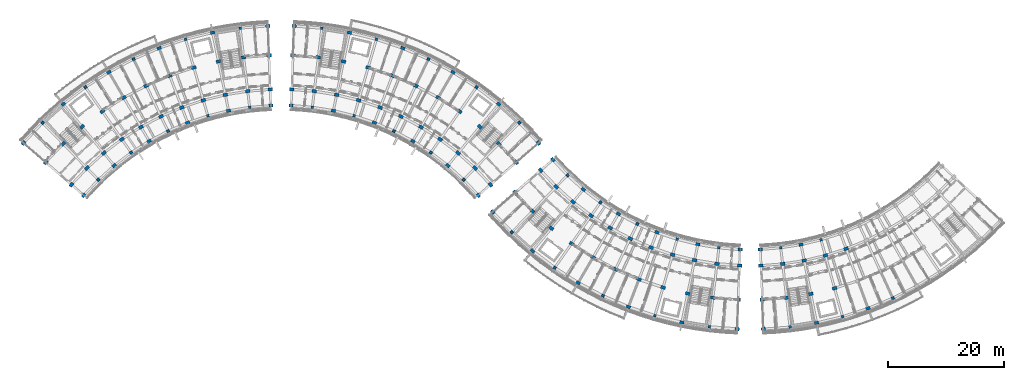
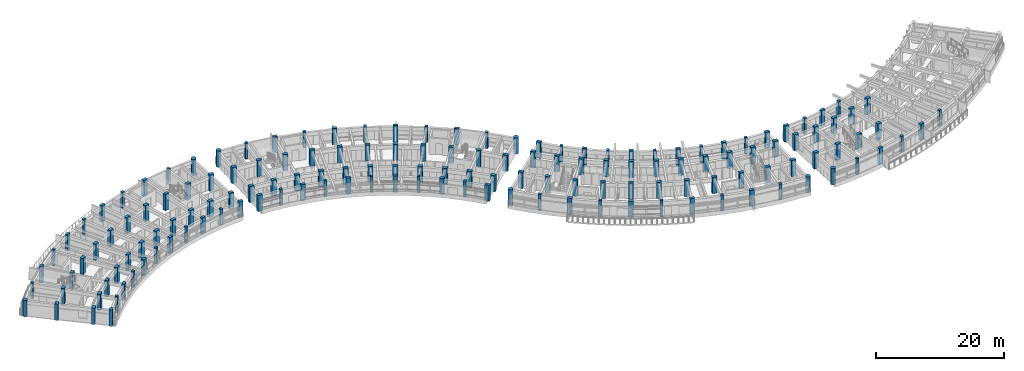
# One storey, part 1 of 55: 151 columns.
"""IFC4 building model written with IfcOpenShell, lengths in metres."""

from ifc_helpers import new_model, si_unit, direction, frame, origin, origin_2d, place, context, subcontext, project, spatial, rectangle, circle, extrude, material, material_profile, profile_set, type_object, element, save


model = new_model("IFC4")

# Units and contexts
model_context = context("Model", 3, precision=1e-05, world=origin(), true_north=direction((0.0, 1.0)))
body_context = subcontext(model_context, "Body", "Model", "MODEL_VIEW")
ifc_project = project(units=[si_unit("LENGTHUNIT", "METRE"), si_unit("AREAUNIT", "SQUARE_METRE"), si_unit("VOLUMEUNIT", "CUBIC_METRE"), si_unit("PLANEANGLEUNIT", "RADIAN"), si_unit("MASSUNIT", "GRAM", prefix="KILO")], contexts=[model_context])

# Site, building, storey
site_placement = place(None, origin())
site = spatial("IfcSite", under=ifc_project, at=site_placement, CompositionType="ELEMENT")
building_placement = place(site_placement, origin())
building = spatial("IfcBuilding", under=site, at=building_placement, Name="Zimvara Arc Housing Community", CompositionType="ELEMENT")
storey_placement = place(building_placement, frame((0.0, 0.0, 14.300048828125)))
storey = spatial("IfcBuildingStorey", under=building, at=storey_placement, Name="L04", CompositionType="ELEMENT", Elevation=14.300048828125)

# Columns
ifc_material_1 = material(Name="Concrete C40/50", Category="concrete")
ifc_material_profile_1 = material_profile(ifc_material_1, rectangle(XDim=0.449951171875, YDim=0.449951171875, at=origin_2d()), Name="RC 450x450")
ifc_profile_set_1 = profile_set([ifc_material_profile_1], Name="Concrete C40/50")
column_type_1 = type_object("IfcColumnType", Name="COL-RC-450x450", PredefinedType="COLUMN", material=ifc_profile_set_1)
for number, where, z_axis, x_axis, name in (
    (1, (13.476318359375, 76.781005859375, 0.0), (0.0, 0.0, 1.0), (-0.698665066769, 0.715448897181, 0.0), "col:blkA:L04:b1:r0"),
    (2, (3.862548828125, 86.625732421875, 0.0), (0.0, 0.0, 1.0), (-0.698665066769, 0.715448897181, 0.0), "col:blkA:L04:b1:r3"),
    (3, (19.14599609375, 81.478271484375, 0.0), (0.0, 0.0, 1.0), (-0.573004420611, 0.819552276527, 0.0), "col:blkA:L04:b3:r0"),
    (4, (11.261474609375, 92.755126953125, 0.0), (0.0, 0.0, 1.0), (-0.573004420611, 0.819552276527, 0.0), "col:blkA:L04:b3:r3"),
    (5, (25.50439453125, 85.190673828125, 0.0), (0.0, 0.0, 1.0), (-0.432085748802, 0.901832526405, 0.0), "col:blkA:L04:b5:r0"),
    (6, (19.558837890625, 97.599853515625, 0.0), (0.0, 0.0, 1.0), (-0.432085748802, 0.901832526405, 0.0), "col:blkA:L04:b5:r3"),
    (7, (32.381591796875, 87.819580078125, 0.0), (0.0, 0.0, 1.0), (-0.27966144946, 0.96009867914, 0.0), "col:blkA:L04:b7:r0"),
    (8, (28.533447265625, 101.030517578125, 0.0), (0.0, 0.0, 1.0), (-0.27966144946, 0.96009867914, 0.0), "col:blkA:L04:b7:r3"),
    (9, (39.594970703125, 89.295166015625, 0.0), (0.0, 0.0, 1.0), (-0.119790293837, 0.992799217114, 0.0), "col:blkA:L04:b9:r0"),
    (10, (37.94677734375, 102.9560546875, 0.0), (0.0, 0.0, 1.0), (-0.119790293837, 0.992799217114, 0.0), "col:blkA:L04:b9:r3"),
    (11, (50.405029296875, 89.295166015625, 0.0), (0.0, 0.0, 1.0), (0.119790293837, 0.992799217114, 0.0), "col:blkB:L04:b1:r0"),
    (12, (52.05322265625, 102.9560546875, 0.0), (0.0, 0.0, 1.0), (0.119790293837, 0.992799217114, 0.0), "col:blkB:L04:b1:r3"),
    (13, (57.618408203125, 87.819580078125, 0.0), (0.0, 0.0, 1.0), (0.27966144946, 0.96009867914, 0.0), "col:blkB:L04:b3:r0"),
    (14, (61.466552734375, 101.030517578125, 0.0), (0.0, 0.0, 1.0), (0.27966144946, 0.96009867914, 0.0), "col:blkB:L04:b3:r3"),
    (15, (64.49560546875, 85.190673828125, 0.0), (0.0, 0.0, 1.0), (0.432085748802, 0.901832526405, 0.0), "col:blkB:L04:b5:r0"),
    (16, (70.441162109375, 97.599853515625, 0.0), (0.0, 0.0, 1.0), (0.432085748802, 0.901832526405, 0.0), "col:blkB:L04:b5:r3"),
    (17, (70.85400390625, 81.478271484375, 0.0), (0.0, 0.0, 1.0), (0.573004420611, 0.819552276527, 0.0), "col:blkB:L04:b7:r0"),
    (18, (78.738525390625, 92.755126953125, 0.0), (0.0, 0.0, 1.0), (0.573004420611, 0.819552276527, 0.0), "col:blkB:L04:b7:r3"),
    (19, (76.523681640625, 76.781005859375, 0.0), (0.0, 0.0, 1.0), (0.698665066769, 0.715448897181, 0.0), "col:blkB:L04:b9:r0"),
    (20, (86.137451171875, 86.625732421875, 0.0), (0.0, 0.0, 1.0), (0.698665066769, 0.715448897181, 0.0), "col:blkB:L04:b9:r3"),
    (21, (94.456298828125, 77.578857421875, 0.0), (0.0, 0.0, 1.0), (-0.698665066769, -0.715448897181, 0.0), "col:blkC:L04:b1:r0"),
    (22, (84.842529296875, 67.734375, 0.0), (0.0, 0.0, 1.0), (-0.698665066769, -0.715448897181, 0.0), "col:blkC:L04:b1:r3"),
    (23, (100.1259765625, 72.8818359375, 0.0), (0.0, 0.0, 1.0), (-0.573004420611, -0.819552276527, 0.0), "col:blkC:L04:b3:r0"),
    (24, (92.241455078125, 61.604736328125, 0.0), (0.0, 0.0, 1.0), (-0.573004420611, -0.819552276527, 0.0), "col:blkC:L04:b3:r3"),
    (25, (106.484375, 69.16943359375, 0.0), (0.0, 0.0, 1.0), (-0.432085748802, -0.901832526405, 0.0), "col:blkC:L04:b5:r0"),
    (26, (100.538818359375, 56.760009765625, 0.0), (0.0, 0.0, 1.0), (-0.432085748802, -0.901832526405, 0.0), "col:blkC:L04:b5:r3"),
    (27, (113.361572265625, 66.540283203125, 0.0), (0.0, 0.0, 1.0), (-0.27966144946, -0.96009867914, 0.0), "col:blkC:L04:b7:r0"),
    (28, (109.513427734375, 53.329345703125, 0.0), (0.0, 0.0, 1.0), (-0.27966144946, -0.96009867914, 0.0), "col:blkC:L04:b7:r3"),
    (29, (120.574951171875, 65.06494140625, 0.0), (0.0, 0.0, 1.0), (-0.119790293837, -0.992799217114, 0.0), "col:blkC:L04:b9:r0"),
    (30, (118.9267578125, 51.404052734375, 0.0), (0.0, 0.0, 1.0), (-0.119790293837, -0.992799217114, 0.0), "col:blkC:L04:b9:r3"),
    (31, (131.244140625, 65.048095703125, 0.0), (0.0, 0.0, 1.0), (0.116670737099, -0.993170649538, 0.0), "col:blkD:L04:b1:r0"),
    (32, (132.849609375, 51.382080078125, 0.0), (0.0, 0.0, 1.0), (0.116670737099, -0.993170649538, 0.0), "col:blkD:L04:b1:r3"),
    (33, (138.189453125, 66.42333984375, 0.0), (0.0, 0.0, 1.0), (0.270600445976, -0.962691746426, 0.0), "col:blkD:L04:b3:r0"),
    (34, (141.912841796875, 53.1767578125, 0.0), (0.0, 0.0, 1.0), (0.270600445976, -0.962691746426, 0.0), "col:blkD:L04:b3:r3"),
    (35, (150.583984375, 56.366943359375, 0.0), (0.0, 0.0, 1.0), (0.417867073801, -0.908508177527, 0.0), "col:blkD:L04:b5:r3"),
):
    element("IfcColumn", number, at=place(storey_placement, frame(where, z_axis=z_axis, x_axis=x_axis)), inside=storey, type_object=column_type_1, Name=name, PredefinedType="COLUMN", context=body_context, shape_type="SweptSolid", body=[
        extrude(rectangle(XDim=0.449951171875, YDim=0.449951171875, at=origin_2d()), origin(), (0.0, 0.0, 1.0), 3.099853515625),
    ])
ifc_material_2 = material(Name="Concrete C40/50", Category="concrete")
ifc_material_profile_2 = material_profile(ifc_material_2, rectangle(XDim=0.5, YDim=0.75, at=origin_2d()), Name="RC 500x750")
ifc_profile_set_2 = profile_set([ifc_material_profile_2], Name="Concrete C40/50")
column_type_2 = type_object("IfcColumnType", Name="COL-RC-500x750", PredefinedType="COLUMN", material=ifc_profile_set_2)
for number, where, z_axis, x_axis, name in (
    (36, (10.947509765625, 74.101318359375, 0.0), (0.0, 0.0, 1.0), (-0.754709580223, 0.656059028991, 0.0), "col:blkA:L04:b0:r0"),
    (37, (16.215087890625, 79.245361328125, 0.0), (0.0, 0.0, 1.0), (-0.637961754089, 0.770068049148, 0.0), "col:blkA:L04:b2:r0"),
    (38, (7.436767578125, 89.841552734375, 0.0), (0.0, 0.0, 1.0), (-0.637961754089, 0.770068049148, 0.0), "col:blkA:L04:b2:r3"),
    (39, (22.249267578125, 83.46435546875, 0.0), (0.0, 0.0, 1.0), (-0.504226211181, 0.863571611366, 0.0), "col:blkA:L04:b4:r0"),
    (40, (15.311279296875, 95.34716796875, 0.0), (0.0, 0.0, 1.0), (-0.504226211181, 0.863571611366, 0.0), "col:blkA:L04:b4:r3"),
    (41, (28.88916015625, 86.645751953125, 0.0), (0.0, 0.0, 1.0), (-0.357064076459, 0.934079892355, 0.0), "col:blkA:L04:b6:r0"),
    (42, (23.97607421875, 99.49853515625, 0.0), (0.0, 0.0, 1.0), (-0.357064076459, 0.934079892355, 0.0), "col:blkA:L04:b6:r3"),
    (43, (35.958251953125, 88.704833984375, 0.0), (0.0, 0.0, 1.0), (-0.200393999665, 0.979715389742, 0.0), "col:blkA:L04:b8:r0"),
    (44, (33.20068359375, 102.185546875, 0.0), (0.0, 0.0, 1.0), (-0.200393999665, 0.979715389742, 0.0), "col:blkA:L04:b8:r3"),
    (45, (43.267822265625, 89.586669921875, 0.0), (0.0, 0.0, 1.0), (-0.038387809088, 0.999262916411, 0.0), "col:blkA:L04:b10:r0"),
    (46, (46.732177734375, 89.586669921875, 0.0), (0.0, 0.0, 1.0), (0.038387809088, 0.999262916411, 0.0), "col:blkB:L04:b0:r0"),
    (47, (54.041748046875, 88.704833984375, 0.0), (0.0, 0.0, 1.0), (0.200393999665, 0.979715389742, 0.0), "col:blkB:L04:b2:r0"),
    (48, (56.79931640625, 102.185546875, 0.0), (0.0, 0.0, 1.0), (0.200393999665, 0.979715389742, 0.0), "col:blkB:L04:b2:r3"),
    (49, (61.11083984375, 86.645751953125, 0.0), (0.0, 0.0, 1.0), (0.357064076459, 0.934079892355, 0.0), "col:blkB:L04:b4:r0"),
    (50, (66.02392578125, 99.49853515625, 0.0), (0.0, 0.0, 1.0), (0.357064076459, 0.934079892355, 0.0), "col:blkB:L04:b4:r3"),
    (51, (67.750732421875, 83.46435546875, 0.0), (0.0, 0.0, 1.0), (0.504226211181, 0.863571611366, 0.0), "col:blkB:L04:b6:r0"),
    (52, (74.688720703125, 95.34716796875, 0.0), (0.0, 0.0, 1.0), (0.504226211181, 0.863571611366, 0.0), "col:blkB:L04:b6:r3"),
    (53, (73.784912109375, 79.245361328125, 0.0), (0.0, 0.0, 1.0), (0.637961754089, 0.770068049148, 0.0), "col:blkB:L04:b8:r0"),
    (54, (82.563232421875, 89.841552734375, 0.0), (0.0, 0.0, 1.0), (0.637961754089, 0.770068049148, 0.0), "col:blkB:L04:b8:r3"),
    (55, (79.052490234375, 74.101318359375, 0.0), (0.0, 0.0, 1.0), (0.754709580223, 0.656059028991, 0.0), "col:blkB:L04:b10:r0"),
    (56, (91.927490234375, 80.258544921875, 0.0), (0.0, 0.0, 1.0), (-0.754709580223, -0.656059028991, 0.0), "col:blkC:L04:b0:r0"),
    (57, (97.195068359375, 75.114501953125, 0.0), (0.0, 0.0, 1.0), (-0.637961754089, -0.770068049148, 0.0), "col:blkC:L04:b2:r0"),
    (58, (88.416748046875, 64.518310546875, 0.0), (0.0, 0.0, 1.0), (-0.637961754089, -0.770068049148, 0.0), "col:blkC:L04:b2:r3"),
    (59, (103.229248046875, 70.895751953125, 0.0), (0.0, 0.0, 1.0), (-0.504226211181, -0.863571611366, 0.0), "col:blkC:L04:b4:r0"),
    (60, (96.291259765625, 59.012939453125, 0.0), (0.0, 0.0, 1.0), (-0.504226211181, -0.863571611366, 0.0), "col:blkC:L04:b4:r3"),
    (61, (109.869384765625, 67.71435546875, 0.0), (0.0, 0.0, 1.0), (-0.357064076459, -0.934079892355, 0.0), "col:blkC:L04:b6:r0"),
    (62, (104.9560546875, 54.861328125, 0.0), (0.0, 0.0, 1.0), (-0.357064076459, -0.934079892355, 0.0), "col:blkC:L04:b6:r3"),
    (63, (116.938232421875, 65.6552734375, 0.0), (0.0, 0.0, 1.0), (-0.200393999665, -0.979715389742, 0.0), "col:blkC:L04:b8:r0"),
    (64, (114.180908203125, 52.17431640625, 0.0), (0.0, 0.0, 1.0), (-0.200393999665, -0.979715389742, 0.0), "col:blkC:L04:b8:r3"),
    (65, (124.248046875, 64.773193359375, 0.0), (0.0, 0.0, 1.0), (-0.038387809088, -0.999262916411, 0.0), "col:blkC:L04:b10:r0"),
    (66, (127.712158203125, 64.773193359375, 0.0), (0.0, 0.0, 1.0), (0.038387809088, -0.999262916411, 0.0), "col:blkD:L04:b0:r0"),
    (67, (134.743896484375, 65.599365234375, 0.0), (0.0, 0.0, 1.0), (0.19423435122, -0.980955155349, 0.0), "col:blkD:L04:b2:r0"),
    (68, (137.41650390625, 52.101318359375, 0.0), (0.0, 0.0, 1.0), (0.19423435122, -0.980955155349, 0.0), "col:blkD:L04:b2:r3"),
    (69, (146.311279296875, 54.6015625, 0.0), (0.0, 0.0, 1.0), (0.345298198999, -0.93849302276, 0.0), "col:blkD:L04:b4:r3"),
):
    element("IfcColumn", number, at=place(storey_placement, frame(where, z_axis=z_axis, x_axis=x_axis)), inside=storey, type_object=column_type_2, Name=name, PredefinedType="COLUMN", context=body_context, shape_type="SweptSolid", body=[
        extrude(rectangle(XDim=0.5, YDim=0.75, at=origin_2d()), origin(), (0.0, 0.0, 1.0), 3.099853515625),
    ])
ifc_material_3 = material(Name="Concrete C40/50", Category="concrete")
ifc_material_profile_3 = material_profile(ifc_material_3, rectangle(XDim=0.550048828125, YDim=0.800048828125, at=origin_2d()), Name="RC 550x800")
ifc_profile_set_3 = profile_set([ifc_material_profile_3], Name="Concrete C40/50")
column_type_3 = type_object("IfcColumnType", Name="COL-RC-550x800", PredefinedType="COLUMN", material=ifc_profile_set_3)
for number, where, z_axis, x_axis, name in (
    (70, (8.834228515625, 75.938232421875, 0.0), (0.0, 0.0, 1.0), (-0.754709580223, 0.656059028991, 0.0), "col:blkA:L04:b0:r1"),
    (71, (4.396728515625, 79.7958984375, 0.0), (0.0, 0.0, 1.0), (-0.754709580223, 0.656059028991, 0.0), "col:blkA:L04:b0:r2"),
    (72, (11.52001953125, 78.784423828125, 0.0), (0.0, 0.0, 1.0), (-0.698665066769, 0.715448897181, 0.0), "col:blkA:L04:b1:r1"),
    (73, (7.411865234375, 82.9912109375, 0.0), (0.0, 0.0, 1.0), (-0.698665066769, 0.715448897181, 0.0), "col:blkA:L04:b1:r2"),
    (74, (14.428955078125, 81.401611328125, 0.0), (0.0, 0.0, 1.0), (-0.637961754089, 0.770068049148, 0.0), "col:blkA:L04:b2:r1"),
    (75, (10.677734375, 85.9296875, 0.0), (0.0, 0.0, 1.0), (-0.637961754089, 0.770068049148, 0.0), "col:blkA:L04:b2:r2"),
    (76, (17.541748046875, 83.77294921875, 0.0), (0.0, 0.0, 1.0), (-0.573004420611, 0.819552276527, 0.0), "col:blkA:L04:b3:r1"),
    (77, (14.17236328125, 88.591796875, 0.0), (0.0, 0.0, 1.0), (-0.573004420611, 0.819552276527, 0.0), "col:blkA:L04:b3:r2"),
    (78, (20.83740234375, 85.88232421875, 0.0), (0.0, 0.0, 1.0), (-0.504226211181, 0.863571611366, 0.0), "col:blkA:L04:b4:r1"),
    (79, (17.87255859375, 90.960205078125, 0.0), (0.0, 0.0, 1.0), (-0.504226211181, 0.863571611366, 0.0), "col:blkA:L04:b4:r2"),
    (80, (24.29443359375, 87.7158203125, 0.0), (0.0, 0.0, 1.0), (-0.432085748802, 0.901832526405, 0.0), "col:blkA:L04:b5:r1"),
    (81, (21.75390625, 93.0185546875, 0.0), (0.0, 0.0, 1.0), (-0.432085748802, 0.901832526405, 0.0), "col:blkA:L04:b5:r2"),
    (82, (27.889404296875, 89.260986328125, 0.0), (0.0, 0.0, 1.0), (-0.357064076459, 0.934079892355, 0.0), "col:blkA:L04:b6:r1"),
    (83, (25.7900390625, 94.75341796875, 0.0), (0.0, 0.0, 1.0), (-0.357064076459, 0.934079892355, 0.0), "col:blkA:L04:b6:r2"),
    (84, (31.5986328125, 90.5078125, 0.0), (0.0, 0.0, 1.0), (-0.27966144946, 0.96009867914, 0.0), "col:blkA:L04:b7:r1"),
    (85, (29.9541015625, 96.1533203125, 0.0), (0.0, 0.0, 1.0), (-0.27966144946, 0.96009867914, 0.0), "col:blkA:L04:b7:r2"),
    (86, (35.397216796875, 91.447998046875, 0.0), (0.0, 0.0, 1.0), (-0.200393999665, 0.979715389742, 0.0), "col:blkA:L04:b8:r1"),
    (87, (34.21875, 97.208740234375, 0.0), (0.0, 0.0, 1.0), (-0.200393999665, 0.979715389742, 0.0), "col:blkA:L04:b8:r2"),
    (88, (39.259765625, 92.074951171875, 0.0), (0.0, 0.0, 1.0), (-0.119790293837, 0.992799217114, 0.0), "col:blkA:L04:b9:r1"),
    (89, (38.55517578125, 97.91259765625, 0.0), (0.0, 0.0, 1.0), (-0.119790293837, 0.992799217114, 0.0), "col:blkA:L04:b9:r2"),
    (90, (43.160400390625, 92.384765625, 0.0), (0.0, 0.0, 1.0), (-0.038387809088, 0.999262916411, 0.0), "col:blkA:L04:b10:r1"),
    (91, (42.934814453125, 98.26025390625, 0.0), (0.0, 0.0, 1.0), (-0.038387809088, 0.999262916411, 0.0), "col:blkA:L04:b10:r2"),
    (92, (46.839599609375, 92.384765625, 0.0), (0.0, 0.0, 1.0), (0.038387809088, 0.999262916411, 0.0), "col:blkB:L04:b0:r1"),
    (93, (47.065185546875, 98.26025390625, 0.0), (0.0, 0.0, 1.0), (0.038387809088, 0.999262916411, 0.0), "col:blkB:L04:b0:r2"),
    (94, (50.740234375, 92.074951171875, 0.0), (0.0, 0.0, 1.0), (0.119790293837, 0.992799217114, 0.0), "col:blkB:L04:b1:r1"),
    (95, (51.44482421875, 97.91259765625, 0.0), (0.0, 0.0, 1.0), (0.119790293837, 0.992799217114, 0.0), "col:blkB:L04:b1:r2"),
    (96, (54.602783203125, 91.447998046875, 0.0), (0.0, 0.0, 1.0), (0.200393999665, 0.979715389742, 0.0), "col:blkB:L04:b2:r1"),
    (97, (55.78125, 97.208740234375, 0.0), (0.0, 0.0, 1.0), (0.200393999665, 0.979715389742, 0.0), "col:blkB:L04:b2:r2"),
    (98, (58.4013671875, 90.5078125, 0.0), (0.0, 0.0, 1.0), (0.27966144946, 0.96009867914, 0.0), "col:blkB:L04:b3:r1"),
    (99, (60.0458984375, 96.1533203125, 0.0), (0.0, 0.0, 1.0), (0.27966144946, 0.96009867914, 0.0), "col:blkB:L04:b3:r2"),
    (100, (62.110595703125, 89.260986328125, 0.0), (0.0, 0.0, 1.0), (0.357064076459, 0.934079892355, 0.0), "col:blkB:L04:b4:r1"),
    (101, (64.2099609375, 94.75341796875, 0.0), (0.0, 0.0, 1.0), (0.357064076459, 0.934079892355, 0.0), "col:blkB:L04:b4:r2"),
    (102, (65.70556640625, 87.7158203125, 0.0), (0.0, 0.0, 1.0), (0.432085748802, 0.901832526405, 0.0), "col:blkB:L04:b5:r1"),
    (103, (68.24609375, 93.0185546875, 0.0), (0.0, 0.0, 1.0), (0.432085748802, 0.901832526405, 0.0), "col:blkB:L04:b5:r2"),
    (104, (69.16259765625, 85.88232421875, 0.0), (0.0, 0.0, 1.0), (0.504226211181, 0.863571611366, 0.0), "col:blkB:L04:b6:r1"),
    (105, (72.12744140625, 90.960205078125, 0.0), (0.0, 0.0, 1.0), (0.504226211181, 0.863571611366, 0.0), "col:blkB:L04:b6:r2"),
    (106, (72.458251953125, 83.77294921875, 0.0), (0.0, 0.0, 1.0), (0.573004420611, 0.819552276527, 0.0), "col:blkB:L04:b7:r1"),
    (107, (75.82763671875, 88.591796875, 0.0), (0.0, 0.0, 1.0), (0.573004420611, 0.819552276527, 0.0), "col:blkB:L04:b7:r2"),
    (108, (75.571044921875, 81.401611328125, 0.0), (0.0, 0.0, 1.0), (0.637961754089, 0.770068049148, 0.0), "col:blkB:L04:b8:r1"),
    (109, (79.322265625, 85.9296875, 0.0), (0.0, 0.0, 1.0), (0.637961754089, 0.770068049148, 0.0), "col:blkB:L04:b8:r2"),
    (110, (78.47998046875, 78.784423828125, 0.0), (0.0, 0.0, 1.0), (0.698665066769, 0.715448897181, 0.0), "col:blkB:L04:b9:r1"),
    (111, (82.588134765625, 82.9912109375, 0.0), (0.0, 0.0, 1.0), (0.698665066769, 0.715448897181, 0.0), "col:blkB:L04:b9:r2"),
    (112, (81.165771484375, 75.938232421875, 0.0), (0.0, 0.0, 1.0), (0.754709580223, 0.656059028991, 0.0), "col:blkB:L04:b10:r1"),
    (113, (85.603271484375, 79.7958984375, 0.0), (0.0, 0.0, 1.0), (0.754709580223, 0.656059028991, 0.0), "col:blkB:L04:b10:r2"),
    (114, (89.814208984375, 78.421630859375, 0.0), (0.0, 0.0, 1.0), (-0.754709580223, -0.656059028991, 0.0), "col:blkC:L04:b0:r1"),
    (115, (85.376708984375, 74.56396484375, 0.0), (0.0, 0.0, 1.0), (-0.754709580223, -0.656059028991, 0.0), "col:blkC:L04:b0:r2"),
    (116, (92.5, 75.57568359375, 0.0), (0.0, 0.0, 1.0), (-0.698665066769, -0.715448897181, 0.0), "col:blkC:L04:b1:r1"),
    (117, (88.391845703125, 71.368896484375, 0.0), (0.0, 0.0, 1.0), (-0.698665066769, -0.715448897181, 0.0), "col:blkC:L04:b1:r2"),
    (118, (95.408935546875, 72.958251953125, 0.0), (0.0, 0.0, 1.0), (-0.637961754089, -0.770068049148, 0.0), "col:blkC:L04:b2:r1"),
    (119, (91.65771484375, 68.430419921875, 0.0), (0.0, 0.0, 1.0), (-0.637961754089, -0.770068049148, 0.0), "col:blkC:L04:b2:r2"),
    (120, (98.521728515625, 70.587158203125, 0.0), (0.0, 0.0, 1.0), (-0.573004420611, -0.819552276527, 0.0), "col:blkC:L04:b3:r1"),
    (121, (95.15234375, 65.76806640625, 0.0), (0.0, 0.0, 1.0), (-0.573004420611, -0.819552276527, 0.0), "col:blkC:L04:b3:r2"),
    (122, (101.8173828125, 68.4775390625, 0.0), (0.0, 0.0, 1.0), (-0.504226211181, -0.863571611366, 0.0), "col:blkC:L04:b4:r1"),
    (123, (98.8525390625, 63.39990234375, 0.0), (0.0, 0.0, 1.0), (-0.504226211181, -0.863571611366, 0.0), "col:blkC:L04:b4:r2"),
    (124, (105.2744140625, 66.644287109375, 0.0), (0.0, 0.0, 1.0), (-0.432085748802, -0.901832526405, 0.0), "col:blkC:L04:b5:r1"),
    (125, (102.73388671875, 61.34130859375, 0.0), (0.0, 0.0, 1.0), (-0.432085748802, -0.901832526405, 0.0), "col:blkC:L04:b5:r2"),
    (126, (108.869384765625, 65.098876953125, 0.0), (0.0, 0.0, 1.0), (-0.357064076459, -0.934079892355, 0.0), "col:blkC:L04:b6:r1"),
    (127, (106.77001953125, 59.6064453125, 0.0), (0.0, 0.0, 1.0), (-0.357064076459, -0.934079892355, 0.0), "col:blkC:L04:b6:r2"),
    (128, (112.57861328125, 63.85205078125, 0.0), (0.0, 0.0, 1.0), (-0.27966144946, -0.96009867914, 0.0), "col:blkC:L04:b7:r1"),
    (129, (110.934326171875, 58.206787109375, 0.0), (0.0, 0.0, 1.0), (-0.27966144946, -0.96009867914, 0.0), "col:blkC:L04:b7:r2"),
    (130, (116.377197265625, 62.912109375, 0.0), (0.0, 0.0, 1.0), (-0.200393999665, -0.979715389742, 0.0), "col:blkC:L04:b8:r1"),
    (131, (115.19873046875, 57.1513671875, 0.0), (0.0, 0.0, 1.0), (-0.200393999665, -0.979715389742, 0.0), "col:blkC:L04:b8:r2"),
    (132, (120.23974609375, 62.28515625, 0.0), (0.0, 0.0, 1.0), (-0.119790293837, -0.992799217114, 0.0), "col:blkC:L04:b9:r1"),
    (133, (119.535400390625, 56.447509765625, 0.0), (0.0, 0.0, 1.0), (-0.119790293837, -0.992799217114, 0.0), "col:blkC:L04:b9:r2"),
    (134, (124.140380859375, 61.975341796875, 0.0), (0.0, 0.0, 1.0), (-0.038387809088, -0.999262916411, 0.0), "col:blkC:L04:b10:r1"),
    (135, (123.914794921875, 56.099609375, 0.0), (0.0, 0.0, 1.0), (-0.038387809088, -0.999262916411, 0.0), "col:blkC:L04:b10:r2"),
    (136, (127.819580078125, 61.975341796875, 0.0), (0.0, 0.0, 1.0), (0.038387809088, -0.999262916411, 0.0), "col:blkD:L04:b0:r1"),
    (137, (128.045166015625, 56.099609375, 0.0), (0.0, 0.0, 1.0), (0.038387809088, -0.999262916411, 0.0), "col:blkD:L04:b0:r2"),
    (138, (131.57080078125, 62.267333984375, 0.0), (0.0, 0.0, 1.0), (0.116670737099, -0.993170649538, 0.0), "col:blkD:L04:b1:r1"),
    (139, (132.2568359375, 56.427490234375, 0.0), (0.0, 0.0, 1.0), (0.116670737099, -0.993170649538, 0.0), "col:blkD:L04:b1:r2"),
    (140, (135.28759765625, 62.8525390625, 0.0), (0.0, 0.0, 1.0), (0.19423435122, -0.980955155349, 0.0), "col:blkD:L04:b2:r1"),
    (141, (136.4296875, 57.084716796875, 0.0), (0.0, 0.0, 1.0), (0.19423435122, -0.980955155349, 0.0), "col:blkD:L04:b2:r2"),
    (142, (138.947265625, 63.727783203125, 0.0), (0.0, 0.0, 1.0), (0.270600445976, -0.962691746426, 0.0), "col:blkD:L04:b3:r1"),
    (143, (140.538330078125, 58.067138671875, 0.0), (0.0, 0.0, 1.0), (0.270600445976, -0.962691746426, 0.0), "col:blkD:L04:b3:r2"),
    (144, (142.526611328125, 64.887451171875, 0.0), (0.0, 0.0, 1.0), (0.345298198999, -0.93849302276, 0.0), "col:blkD:L04:b4:r1"),
):
    element("IfcColumn", number, at=place(storey_placement, frame(where, z_axis=z_axis, x_axis=x_axis)), inside=storey, type_object=column_type_3, Name=name, PredefinedType="COLUMN", context=body_context, shape_type="SweptSolid", body=[
        extrude(rectangle(XDim=0.550048828125, YDim=0.800048828125, at=origin_2d()), origin(), (0.0, 0.0, 1.0), 3.099853515625),
    ])
ifc_material_4 = material(Name="Concrete C40/50", Category="concrete")
ifc_material_profile_4 = material_profile(ifc_material_4, circle(Radius=0.39990234375, at=origin_2d()), Name="RC D800")
ifc_profile_set_4 = profile_set([ifc_material_profile_4], Name="Concrete C40/50")
column_type_4 = type_object("IfcColumnType", Name="COL-RC-D700", PredefinedType="COLUMN", material=ifc_profile_set_4)
for number, where, z_axis, x_axis, name in (
    (145, (0.562744140625, 83.128662109375, 0.0), (0.0, 0.0, 1.0), (-0.754709580223, 0.656059028991, 0.0), "col:blkA:L04:b0:r3"),
    (146, (42.73974609375, 103.336669921875, 0.0), (0.0, 0.0, 1.0), (-0.038387809088, 0.999262916411, 0.0), "col:blkA:L04:b10:r3"),
    (147, (47.26025390625, 103.336669921875, 0.0), (0.0, 0.0, 1.0), (0.038387809088, 0.999262916411, 0.0), "col:blkB:L04:b0:r3"),
    (148, (89.437255859375, 83.128662109375, 0.0), (0.0, 0.0, 1.0), (0.754709580223, 0.656059028991, 0.0), "col:blkB:L04:b10:r3"),
    (149, (81.542724609375, 71.231201171875, 0.0), (0.0, 0.0, 1.0), (-0.754709580223, -0.656059028991, 0.0), "col:blkC:L04:b0:r3"),
    (150, (123.7197265625, 51.0234375, 0.0), (0.0, 0.0, 1.0), (-0.038387809088, -0.999262916411, 0.0), "col:blkC:L04:b10:r3"),
    (151, (128.240234375, 51.0234375, 0.0), (0.0, 0.0, 1.0), (0.038387809088, -0.999262916411, 0.0), "col:blkD:L04:b0:r3"),
):
    element("IfcColumn", number, at=place(storey_placement, frame(where, z_axis=z_axis, x_axis=x_axis)), inside=storey, type_object=column_type_4, Name=name, PredefinedType="COLUMN", context=body_context, shape_type="SweptSolid", body=[
        extrude(circle(Radius=0.39990234375, at=origin_2d()), origin(), (0.0, 0.0, 1.0), 3.099853515625),
    ])

save(model, "model.ifc")
